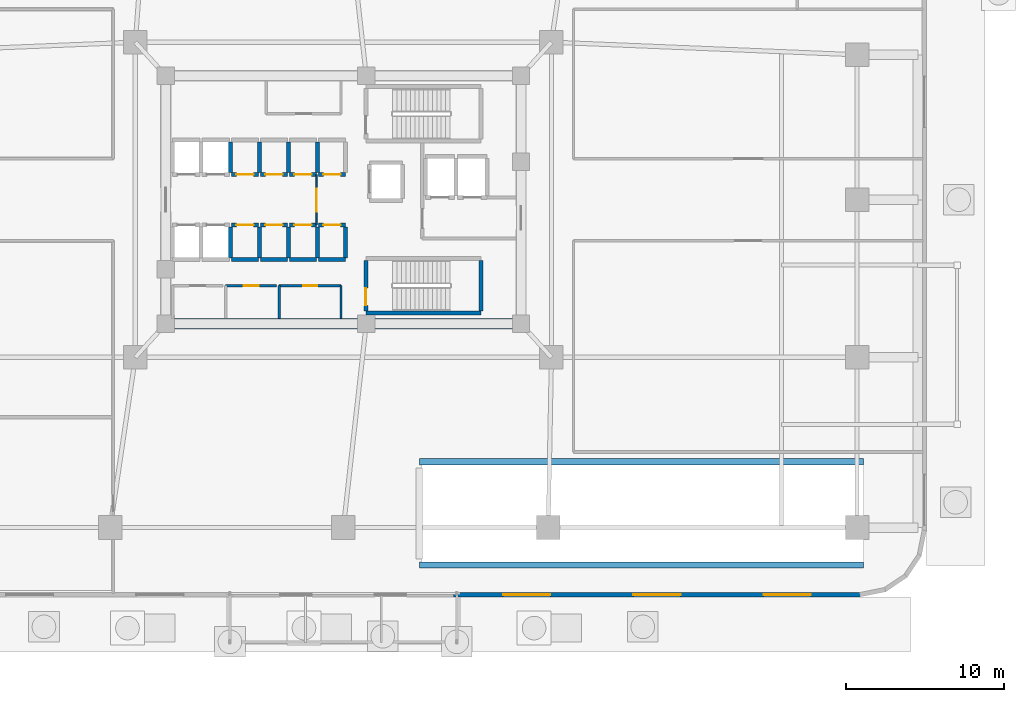
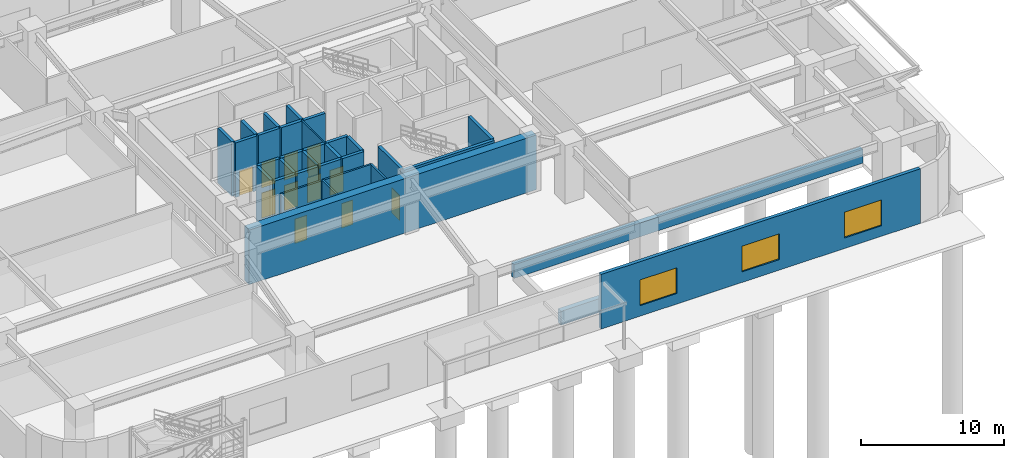
# One storey, part 12 of 18: 33 walls, 12 doors, 3 windows, 15 openings.
"""IFC4 building model written with IfcOpenShell, lengths in metres."""

import ifcopenshell
import ifcopenshell.guid

model = None  # the IFC model being written
_history = None  # IfcOwnerHistory: only IFC2X3 demands one
_inside = {}  # id of a spatial element -> (the spatial element, [elements in it])
_under = {}  # id of a project, library or spatial element -> (it, [spatial elements below it])
_declared = {}  # id of a project -> (the project, [libraries it declares])
_typed = {}  # id of a type object -> (the type object, [elements of that type])
_made_of = {}  # id of a material, layer set ... -> (it, [elements and type objects made of it])


def new_model(schema):
    """Start an empty IFC model of exactly this schema.

    Asked for "IFC4X3", IfcOpenShell would pick the latest addendum, in which some entities
    have other attributes; the version numbers below select the first issue.
    IFC2X3 requires an IfcOwnerHistory on every rooted entity: one is made here for all.
    """
    global model, _history
    if schema == "IFC4X3":
        model = ifcopenshell.file(schema_version=(4, 3, 0, 0))
    else:
        model = ifcopenshell.file(schema=schema)
    _inside.clear()
    _under.clear()
    _declared.clear()
    _typed.clear()
    _made_of.clear()
    _history = None
    if model.schema == "IFC2X3":
        org = make("IfcOrganization", Name="unknown")
        user = make(
            "IfcPersonAndOrganization",
            ThePerson=make("IfcPerson", FamilyName="unknown"),
            TheOrganization=org,
        )
        app = make(
            "IfcApplication",
            ApplicationDeveloper=org,
            Version="unknown",
            ApplicationFullName="unknown",
            ApplicationIdentifier="unknown",
        )
        _history = make(
            "IfcOwnerHistory",
            OwningUser=user,
            OwningApplication=app,
            ChangeAction="ADDED",
            CreationDate=0,
        )
    return model


def make(cls, **values):
    """One entity of the class cls with the attributes given. An attribute that is None is left unset."""
    return model.create_entity(
        cls, **{name: value for name, value in values.items() if value is not None}
    )


def rooted(cls, **values):
    """An entity with a GlobalId (a new one), such as an element, a storey or a relation."""
    return make(cls, GlobalId=ifcopenshell.guid.new(), OwnerHistory=_history, **values)


def si_unit(unit_type, name, prefix=None):
    """IfcSIUnit, for example si_unit("LENGTHUNIT", "METRE", prefix="MILLI")."""
    return make("IfcSIUnit", UnitType=unit_type, Prefix=prefix, Name=name)


def assignment(units):
    """IfcUnitAssignment: the units of a project."""
    return None if units is None else make("IfcUnitAssignment", Units=units)


def point(xyz):
    """IfcCartesianPoint."""
    return None if xyz is None else make("IfcCartesianPoint", Coordinates=xyz)


def direction(xyz):
    """IfcDirection."""
    return None if xyz is None else make("IfcDirection", DirectionRatios=xyz)


def frame(location, z_axis=None, x_axis=None):
    """IfcAxis2Placement3D, a coordinate frame: its origin and axes. An axis left out is left unset."""
    return make(
        "IfcAxis2Placement3D",
        Location=point(location),
        Axis=direction(z_axis),
        RefDirection=direction(x_axis),
    )


def frame_2d(location, x_axis=None):
    """IfcAxis2Placement2D, a coordinate frame in the plane: its origin and x axis."""
    return make(
        "IfcAxis2Placement2D", Location=point(location), RefDirection=direction(x_axis)
    )


def origin():
    """The frame at (0, 0, 0) with its axes left unset."""
    return frame((0.0, 0.0, 0.0))


def place(relative_to, where):
    """IfcLocalPlacement: puts the frame where relative to a parent placement (None: the world)."""
    return make(
        "IfcLocalPlacement", PlacementRelTo=relative_to, RelativePlacement=where
    )


def context(
    kind, dimensions, precision=None, world=None, true_north=None, identifier=None
):
    """IfcGeometricRepresentationContext, for example the 3D "Model" context."""
    return make(
        "IfcGeometricRepresentationContext",
        ContextIdentifier=identifier,
        ContextType=kind,
        CoordinateSpaceDimension=dimensions,
        Precision=precision,
        WorldCoordinateSystem=world,
        TrueNorth=true_north,
    )


def subcontext(parent, identifier, kind, view, scale=None):
    """IfcGeometricRepresentationSubContext, for example "Body" below "Model"."""
    return make(
        "IfcGeometricRepresentationSubContext",
        ContextIdentifier=identifier,
        ContextType=kind,
        ParentContext=parent,
        TargetScale=scale,
        TargetView=view,
    )


def project(units=None, contexts=None):
    """IfcProject with its units and contexts."""
    return rooted(
        "IfcProject",
        Name="project",
        RepresentationContexts=contexts,
        UnitsInContext=assignment(units),
    )


def spatial(cls, under=None, at=None, **own):
    """A site, building, storey or space (cls), placed at a placement, below another one or the project."""
    s = rooted(cls, ObjectPlacement=at, **own)
    if under is not None:
        _under.setdefault(under.id(), (under, []))[1].append(s)
    return s


def profile(cls, at=None, kind="AREA", **sizes):
    """A parametric profile (cls). Its sizes go by their IFC names, for example OverallWidth=200.0."""
    return make(cls, ProfileType=kind, Position=at, **sizes)


def rectangle(**sizes):
    """IfcRectangleProfileDef."""
    return profile("IfcRectangleProfileDef", **sizes)


def extrude(swept, where, along, depth):
    """IfcExtrudedAreaSolid: the profile swept, set in the frame where, extruded along a direction by depth."""
    return make(
        "IfcExtrudedAreaSolid",
        SweptArea=swept,
        Position=where,
        ExtrudedDirection=direction(along),
        Depth=depth,
    )


def shape(context_of_items, identifier, shape_type, items):
    """IfcShapeRepresentation: the items that make up one representation, for example the "Body"."""
    return make(
        "IfcShapeRepresentation",
        ContextOfItems=context_of_items,
        RepresentationIdentifier=identifier,
        RepresentationType=shape_type,
        Items=items,
    )


def material(Name=None, Category=None):
    """IfcMaterial."""
    return make("IfcMaterial", Name=Name, Category=Category)


def layer(
    of_material, thickness, ventilated=None, Name=None, Category=None, Priority=None
):
    """IfcMaterialLayer: one layer of a wall or slab, of a material (None: an air gap)."""
    return make(
        "IfcMaterialLayer",
        Material=of_material,
        LayerThickness=thickness,
        IsVentilated=ventilated,
        Name=Name,
        Category=Category,
        Priority=Priority,
    )


def layer_set(layers, Name=None):
    """IfcMaterialLayerSet."""
    return make("IfcMaterialLayerSet", MaterialLayers=layers, LayerSetName=Name)


def made_of(thing, what):
    """Note that an element or type object is made of a material, layer set ...; save() writes the relation."""
    if what is not None:
        _made_of.setdefault(what.id(), (what, []))[1].append(thing)
    return thing


def type_object(cls, material=None, **own):
    """A type object (cls), such as IfcWallType, which elements share."""
    return made_of(rooted(cls, **own), material)


def element(
    cls,
    number,
    at=None,
    inside=None,
    cuts=None,
    type_object=None,
    material=None,
    context=None,
    identifier="Body",
    shape_type=None,
    held_by="IfcProductDefinitionShape",
    body=None,
    shapes=None,
    **own,
):
    """One element of the class cls, such as IfcWall. Its Tag is "e" and its number.

    at: its placement. inside: the storey or other place that contains it. cuts: it is an
    opening in that element (IfcRelVoidsElement). A single representation is given by context,
    identifier, shape_type and body (its items); several are given by shapes. held_by: the class
    of the entity that holds the representations. save() writes the other relations.
    """
    e = rooted(cls, Tag="e%d" % number, ObjectPlacement=at, **own)
    if body is not None:
        shapes = [shape(context, identifier, shape_type, body)]
    if shapes is not None:
        e.Representation = make(held_by, Representations=shapes)
    if inside is not None:
        _inside.setdefault(inside.id(), (inside, []))[1].append(e)
    if cuts is not None:
        rooted(
            "IfcRelVoidsElement", RelatingBuildingElement=cuts, RelatedOpeningElement=e
        )
    if type_object is not None:
        _typed.setdefault(type_object.id(), (type_object, []))[1].append(e)
    return made_of(e, material)


def fill(opening, filler):
    """IfcRelFillsElement: the door or window that sits in an opening."""
    return rooted(
        "IfcRelFillsElement",
        RelatingOpeningElement=opening,
        RelatedBuildingElement=filler,
    )


def aggregate(whole, parts):
    """IfcRelAggregates: a whole, such as a stair, and the parts it consists of."""
    return rooted("IfcRelAggregates", RelatingObject=whole, RelatedObjects=parts)


def save(model, path):
    """Write the relations noted so far, then the file.

    IfcRelAggregates (storeys below a building ...), IfcRelContainedInSpatialStructure (elements
    in a storey), IfcRelDefinesByType, IfcRelAssociatesMaterial and IfcRelDeclares: one each for
    every whole, place, type object, material and project.
    """
    for whole, parts in _under.values():
        aggregate(whole, parts)
    for where, things in _inside.values():
        rooted(
            "IfcRelContainedInSpatialStructure",
            RelatedElements=things,
            RelatingStructure=where,
        )
    for kind, things in _typed.values():
        rooted("IfcRelDefinesByType", RelatedObjects=things, RelatingType=kind)
    for what, things in _made_of.values():
        rooted("IfcRelAssociatesMaterial", RelatedObjects=things, RelatingMaterial=what)
    for by, libraries in _declared.values():
        rooted("IfcRelDeclares", RelatingContext=by, RelatedDefinitions=libraries)
    model.write(path)


model = new_model("IFC4")

# Units and contexts
model_context = context("Model", 3, precision=1e-05, world=origin(), true_north=direction((0.0, 1.0)))
body_context = subcontext(model_context, "Body", "Model", "MODEL_VIEW")
ifc_project = project(units=[si_unit("LENGTHUNIT", "METRE"), si_unit("AREAUNIT", "SQUARE_METRE"), si_unit("VOLUMEUNIT", "CUBIC_METRE"), si_unit("PLANEANGLEUNIT", "RADIAN"), si_unit("MASSUNIT", "GRAM", prefix="KILO")], contexts=[model_context])

# Site, building, storey
site_placement = place(None, origin())
site = spatial("IfcSite", under=ifc_project, at=site_placement, CompositionType="ELEMENT")
building_placement = place(site_placement, origin())
building = spatial("IfcBuilding", under=site, at=building_placement, Name="Zulverin Broadcast Headquarters", CompositionType="ELEMENT")
storey_placement = place(building_placement, origin())
storey = spatial("IfcBuildingStorey", under=building, at=storey_placement, Name="L00", CompositionType="ELEMENT", Elevation=0.0)

# Walls
ifc_material_1 = material(Name="Concrete C50/60", Category="concrete")
ifc_layer_1 = layer(ifc_material_1, 0.39990234375, Name="Concrete C50/60", Category="concrete")
ifc_layer_set_1 = layer_set([ifc_layer_1], Name="Concrete C50/60")
wall_type_1 = type_object("IfcWallType", Name="WL-BAR-400", PredefinedType="SOLIDWALL", material=ifc_layer_set_1)
for number, where, z_axis, x_axis, name in (
    (1, (41.820068359375, 2.02001953125, 0.0), (0.0, 0.0, 1.0), (1.0, 0.0, 0.0), "L00 Ramp Well Crash Barrier Wall S"),
    (2, (41.820068359375, 8.580078125, 0.0), (0.0, 0.0, 1.0), (1.0, 0.0, 0.0), "L00 Ramp Well Crash Barrier Wall N"),
):
    element("IfcWall", number, at=place(storey_placement, frame(where, z_axis=z_axis, x_axis=x_axis)), inside=storey, type_object=wall_type_1, Name=name, PredefinedType="SOLIDWALL", context=body_context, shape_type="SweptSolid", body=[
        extrude(rectangle(XDim=28.179931640625, YDim=0.39990234375, at=frame_2d((14.08984375, 0.0))), origin(), (0.0, 0.0, 1.0), 1.179931640625),
    ])
ifc_material_2 = material(Name="Concrete C60/75", Category="concrete")
ifc_layer_2 = layer(ifc_material_2, 0.64990234375, Name="Concrete C60/75", Category="concrete")
ifc_layer_set_2 = layer_set([ifc_layer_2], Name="Concrete C60/75")
wall_type_2 = type_object("IfcWallType", Name="WL-CORE-650", PredefinedType="SHEAR", material=ifc_layer_set_2)
wall_1_placement = place(storey_placement, frame((25.39990234375, 17.324951171875, 0.0), z_axis=(0.0, 0.0, 1.0), x_axis=(1.0, 0.0, 0.0)))
element("IfcWall", 3, at=wall_1_placement, inside=storey, type_object=wall_type_2, Name="L00 Core South Shear Wall", PredefinedType="SHEAR", context=body_context, shape_type="SweptSolid", body=[
    extrude(rectangle(XDim=23.2001953125, YDim=0.64990234375, at=frame_2d((11.60009765625, 0.0))), origin(), (0.0, 0.0, 1.0), 4.659912109375),
])

# Wall, openings, windows
ifc_material_3 = material(Name="Insulated pale-metal clad concrete spandrel C40/50", Category="concrete")
ifc_layer_3 = layer(ifc_material_3, 0.280029296875, Name="Insulated pale-metal clad concrete spandrel C40/50", Category="concrete")
ifc_layer_set_3 = layer_set([ifc_layer_3], Name="Insulated pale-metal clad concrete spandrel C40/50")
wall_type_3 = type_object("IfcWallType", Name="WL-EXT-280", PredefinedType="STANDARD", material=ifc_layer_set_3)
wall_2_placement = place(storey_placement, frame((44.0, 0.139892578125, 0.0), z_axis=(0.0, 0.0, 1.0), x_axis=(1.0, 0.0, 0.0)))
wall_2 = element("IfcWall", 4, at=wall_2_placement, inside=storey, type_object=wall_type_3, Name="L00 Podium Flank Wall 4-2", PredefinedType="STANDARD", context=body_context, shape_type="SweptSolid", body=[
    extrude(rectangle(XDim=25.800048828125, YDim=0.280029296875, at=frame_2d((12.89990234375, 0.0))), origin(), (0.0, 0.0, 1.0), 4.659912109375),
])
opening_1_placement = place(wall_2_placement, frame((3.13330078125, 0.0, 0.89990234375)))
opening_1 = element("IfcOpeningElement", 5, at=opening_1_placement, cuts=wall_2, Name="Opening W-L00-F421", PredefinedType="OPENING", context=body_context, shape_type="SweptSolid", body=[
    extrude(rectangle(XDim=3.0, YDim=2.199951171875, at=frame_2d((1.5, 1.10009765625))), frame((0.0, 0.14990234375, 0.0), z_axis=(0.0, -1.0, 0.0), x_axis=(1.0, 0.0, 0.0)), (0.0, 0.0, 1.0), 0.300048828125),
])
opening_2_placement = place(wall_2_placement, frame((11.39990234375, 0.0, 0.89990234375)))
opening_2 = element("IfcOpeningElement", 6, at=opening_2_placement, cuts=wall_2, Name="Opening W-L00-F422", PredefinedType="OPENING", context=body_context, shape_type="SweptSolid", body=[
    extrude(rectangle(XDim=3.0, YDim=2.199951171875, at=frame_2d((1.5, 1.10009765625))), frame((0.0, 0.14990234375, 0.0), z_axis=(0.0, -1.0, 0.0), x_axis=(1.0, 0.0, 0.0)), (0.0, 0.0, 1.0), 0.300048828125),
])
opening_3_placement = place(wall_2_placement, frame((19.666748046875, 0.0, 0.89990234375)))
opening_3 = element("IfcOpeningElement", 7, at=opening_3_placement, cuts=wall_2, Name="Opening W-L00-F423", PredefinedType="OPENING", context=body_context, shape_type="SweptSolid", body=[
    extrude(rectangle(XDim=3.0, YDim=2.199951171875, at=frame_2d((1.5, 1.10009765625))), frame((0.0, 0.14990234375, 0.0), z_axis=(0.0, -1.0, 0.0), x_axis=(1.0, 0.0, 0.0)), (0.0, 0.0, 1.0), 0.300048828125),
])
ifc_material_4 = material(Name="Pale anodized aluminium frame with solar-control low-E double glazing", Category="aluminium")
window_type = type_object("IfcWindowType", Name="WIN-POD-3000", PartitioningType="SINGLE_PANEL", PredefinedType="WINDOW", material=ifc_material_4)
window_1_placement = place(opening_1_placement, origin())
window_1 = element("IfcWindow", 8, at=window_1_placement, inside=storey, type_object=window_type, Name="L00 Podium Flank Window 4-2 1", OverallHeight=2.199951171875, OverallWidth=3.0, PartitioningType="SINGLE_PANEL", PredefinedType="WINDOW", context=body_context, shape_type="SweptSolid", body=[
    extrude(rectangle(XDim=3.0, YDim=2.199951171875, at=frame_2d((1.5, 1.10009765625))), frame((0.0, 0.030029296875, 0.0), z_axis=(0.0, -1.0, 0.0), x_axis=(1.0, 0.0, 0.0)), (0.0, 0.0, 1.0), 0.06005859375),
])
fill(opening_1, window_1)
window_2_placement = place(opening_2_placement, origin())
window_2 = element("IfcWindow", 9, at=window_2_placement, inside=storey, type_object=window_type, Name="L00 Podium Flank Window 4-2 2", OverallHeight=2.199951171875, OverallWidth=3.0, PartitioningType="SINGLE_PANEL", PredefinedType="WINDOW", context=body_context, shape_type="SweptSolid", body=[
    extrude(rectangle(XDim=3.0, YDim=2.199951171875, at=frame_2d((1.5, 1.10009765625))), frame((0.0, 0.030029296875, 0.0), z_axis=(0.0, -1.0, 0.0), x_axis=(1.0, 0.0, 0.0)), (0.0, 0.0, 1.0), 0.06005859375),
])
fill(opening_2, window_2)
window_3_placement = place(opening_3_placement, origin())
window_3 = element("IfcWindow", 10, at=window_3_placement, inside=storey, type_object=window_type, Name="L00 Podium Flank Window 4-2 3", OverallHeight=2.199951171875, OverallWidth=3.0, PartitioningType="SINGLE_PANEL", PredefinedType="WINDOW", context=body_context, shape_type="SweptSolid", body=[
    extrude(rectangle(XDim=3.0, YDim=2.199951171875, at=frame_2d((1.5, 1.10009765625))), frame((0.0, 0.030029296875, 0.0), z_axis=(0.0, -1.0, 0.0), x_axis=(1.0, 0.0, 0.0)), (0.0, 0.0, 1.0), 0.06005859375),
])
fill(opening_3, window_3)

# Wall, opening, door
ifc_material_5 = material(Name="Fire-rated acoustic laminated glass screen", Category="glass")
ifc_layer_4 = layer(ifc_material_5, 0.10009765625, Name="Fire-rated acoustic laminated glass screen", Category="glass")
ifc_layer_set_4 = layer_set([ifc_layer_4], Name="Fire-rated acoustic laminated glass screen")
wall_type_4 = type_object("IfcWallType", Name="WL-GLAZ-100", PredefinedType="PARTITIONING", material=ifc_layer_set_4)
wall_3_placement = place(storey_placement, frame((35.300048828125, 23.60009765625, 0.0), z_axis=(0.0, 0.0, 1.0), x_axis=(0.0, 1.0, 0.0)))
wall_3 = element("IfcWall", 11, at=wall_3_placement, inside=storey, type_object=wall_type_4, Name="L00 Central Core Smoke Vestibule Screen", PredefinedType="PARTITIONING", context=body_context, shape_type="SweptSolid", body=[
    extrude(rectangle(XDim=3.199951171875, YDim=0.10009765625, at=frame_2d((1.60009765625, 0.0))), origin(), (0.0, 0.0, 1.0), 4.659912109375),
])
opening_4_placement = place(wall_3_placement, frame((0.85009765625, 0.0, 0.0)))
opening_4 = element("IfcOpeningElement", 12, at=opening_4_placement, cuts=wall_3, Name="Opening D-L00-CL2", PredefinedType="OPENING", context=body_context, shape_type="SweptSolid", body=[
    extrude(rectangle(XDim=1.449951171875, YDim=2.1201171875, at=frame_2d((0.72509765625, 1.06005859375))), frame((0.0, 0.06005859375, 0.0), z_axis=(0.0, -1.0, 0.0), x_axis=(1.0, 0.0, 0.0)), (0.0, 0.0, 1.0), 0.1201171875),
])
ifc_material_6 = material(Name="Fire-rated acoustic glazed double leaf", Category="glass")
door_type_1 = type_object("IfcDoorType", Name="DR-GLZ-1450", OperationType="DOUBLE_DOOR_SINGLE_SWING", PredefinedType="DOOR", material=ifc_material_6)
door_1_placement = place(opening_4_placement, origin())
door_1 = element("IfcDoor", 13, at=door_1_placement, inside=storey, type_object=door_type_1, Name="L00 Central Core Smoke Vestibule Door", OperationType="DOUBLE_DOOR_SINGLE_SWING", OverallHeight=2.1201171875, OverallWidth=1.449951171875, PredefinedType="DOOR", context=body_context, shape_type="SweptSolid", body=[
    extrude(rectangle(XDim=1.449951171875, YDim=2.1201171875, at=frame_2d((0.72509765625, 1.06005859375))), frame((0.0, 0.02490234375, 0.0), z_axis=(0.0, -1.0, 0.0), x_axis=(1.0, 0.0, 0.0)), (0.0, 0.0, 1.0), 0.050048828125),
])
fill(opening_4, door_1)

ifc_material_7 = material(Name="Fire-rated gypsum stud partition", Category="gypsum")
ifc_layer_5 = layer(ifc_material_7, 0.14990234375, Name="Fire-rated gypsum stud partition", Category="gypsum")
ifc_layer_set_5 = layer_set([ifc_layer_5], Name="Fire-rated gypsum stud partition")
wall_type_5 = type_object("IfcWallType", Name="WL-PART-150", PredefinedType="PARTITIONING", material=ifc_layer_set_5)
wall_4_placement = place(storey_placement, frame((29.530029296875, 19.75, 0.0), z_axis=(0.0, 0.0, 1.0), x_axis=(1.0, 0.0, 0.0)))
wall_4 = element("IfcWall", 14, at=wall_4_placement, inside=storey, type_object=wall_type_5, Name="L00 Core Female WC Front Wall", PredefinedType="PARTITIONING", context=body_context, shape_type="SweptSolid", body=[
    extrude(rectangle(XDim=3.239990234375, YDim=0.14990234375, at=frame_2d((1.6201171875, 0.0))), origin(), (0.0, 0.0, 1.0), 4.659912109375),
])
opening_5_placement = place(wall_4_placement, frame((1.14501953125, 0.0, 0.0)))
opening_5 = element("IfcOpeningElement", 15, at=opening_5_placement, cuts=wall_4, Name="Opening D-L00-SC2", PredefinedType="OPENING", context=body_context, shape_type="SweptSolid", body=[
    extrude(rectangle(XDim=0.949951171875, YDim=2.10009765625, at=frame_2d((0.47509765625, 1.050048828125))), frame((0.0, 0.0849609375, 0.0), z_axis=(0.0, -1.0, 0.0), x_axis=(1.0, 0.0, 0.0)), (0.0, 0.0, 1.0), 0.169921875),
])
ifc_material_8 = material(Name="Fire-rated moisture-resistant laminate leaf", Category="wood")
door_type_2 = type_object("IfcDoorType", Name="DR-WC-950", OperationType="SINGLE_SWING_LEFT", PredefinedType="DOOR", material=ifc_material_8)
door_2_placement = place(opening_5_placement, origin())
door_2 = element("IfcDoor", 16, at=door_2_placement, inside=storey, type_object=door_type_2, Name="L00 Female WC Door", OperationType="SINGLE_SWING_LEFT", OverallHeight=2.10009765625, OverallWidth=0.949951171875, PredefinedType="DOOR", context=body_context, shape_type="SweptSolid", body=[
    extrude(rectangle(XDim=0.949951171875, YDim=2.10009765625, at=frame_2d((0.47509765625, 1.050048828125))), frame((0.0, 0.02490234375, 0.0), z_axis=(0.0, -1.0, 0.0), x_axis=(1.0, 0.0, 0.0)), (0.0, 0.0, 1.0), 0.050048828125),
])
fill(opening_5, door_2)

wall_5_placement = place(storey_placement, frame((32.929931640625, 19.75, 0.0), z_axis=(0.0, 0.0, 1.0), x_axis=(1.0, 0.0, 0.0)))
wall_5 = element("IfcWall", 17, at=wall_5_placement, inside=storey, type_object=wall_type_5, Name="L00 Core Cleaner Store Front Wall", PredefinedType="PARTITIONING", context=body_context, shape_type="SweptSolid", body=[
    extrude(rectangle(XDim=3.920166015625, YDim=0.14990234375, at=frame_2d((1.9599609375, 0.0))), origin(), (0.0, 0.0, 1.0), 4.659912109375),
])
opening_6_placement = place(wall_5_placement, frame((1.510009765625, 0.0, 0.0)))
opening_6 = element("IfcOpeningElement", 18, at=opening_6_placement, cuts=wall_5, Name="Opening D-L00-SC3", PredefinedType="OPENING", context=body_context, shape_type="SweptSolid", body=[
    extrude(rectangle(XDim=0.89990234375, YDim=2.10009765625, at=frame_2d((0.449951171875, 1.050048828125))), frame((0.0, 0.0849609375, 0.0), z_axis=(0.0, -1.0, 0.0), x_axis=(1.0, 0.0, 0.0)), (0.0, 0.0, 1.0), 0.169921875),
])
ifc_material_9 = material(Name="Powder-coated steel access leaf", Category="steel")
door_type_3 = type_object("IfcDoorType", Name="DR-RISER-900", OperationType="SINGLE_SWING_LEFT", PredefinedType="DOOR", material=ifc_material_9)
door_3_placement = place(opening_6_placement, origin())
door_3 = element("IfcDoor", 19, at=door_3_placement, inside=storey, type_object=door_type_3, Name="L00 Cleaner Store Door", OperationType="SINGLE_SWING_RIGHT", OverallHeight=2.10009765625, OverallWidth=0.89990234375, PredefinedType="DOOR", context=body_context, shape_type="SweptSolid", body=[
    extrude(rectangle(XDim=0.89990234375, YDim=2.10009765625, at=frame_2d((0.449951171875, 1.050048828125))), frame((0.0, 0.02490234375, 0.0), z_axis=(0.0, -1.0, 0.0), x_axis=(1.0, 0.0, 0.0)), (0.0, 0.0, 1.0), 0.050048828125),
])
fill(opening_6, door_3)

# Walls
for number, where, z_axis, x_axis, name in (
    (20, (32.929931640625, 17.64990234375, 0.0), (0.0, 0.0, 1.0), (0.0, 1.0, 0.0), "L00 Core Cleaner Store West Wall"),
    (21, (36.85009765625, 17.64990234375, 0.0), (0.0, 0.0, 1.0), (0.0, 1.0, 0.0), "L00 Core Cleaner Store East Wall"),
):
    element("IfcWall", number, at=place(storey_placement, frame(where, z_axis=z_axis, x_axis=x_axis)), inside=storey, type_object=wall_type_5, Name=name, PredefinedType="PARTITIONING", context=body_context, shape_type="SweptSolid", body=[
        extrude(rectangle(XDim=2.10009765625, YDim=0.14990234375, at=frame_2d((1.050048828125, 0.0))), origin(), (0.0, 0.0, 1.0), 4.659912109375),
    ])
ifc_layer_6 = layer(ifc_material_1, 0.25, Name="Concrete C50/60", Category="concrete")
ifc_layer_set_6 = layer_set([ifc_layer_6], Name="Concrete C50/60")
wall_type_6 = type_object("IfcWallType", Name="WL-SHAFT-250", PredefinedType="SHEAR", material=ifc_layer_set_6)
wall_6_placement = place(storey_placement, frame((38.425048828125, 18.02490234375, 0.0), z_axis=(0.0, 0.0, 1.0), x_axis=(1.0, 0.0, 0.0)))
element("IfcWall", 22, at=wall_6_placement, inside=storey, type_object=wall_type_6, Name="L00 ST-2 Enclosure Wall S", PredefinedType="SHEAR", context=body_context, shape_type="SweptSolid", body=[
    extrude(rectangle(XDim=7.300048828125, YDim=0.25, at=frame_2d((3.64990234375, 0.0))), origin(), (0.0, 0.0, 1.0), 4.659912109375),
])

# Wall, opening, door
wall_7_placement = place(storey_placement, frame((38.425048828125, 18.14990234375, 0.0), z_axis=(0.0, 0.0, 1.0), x_axis=(0.0, 1.0, 0.0)))
wall_7 = element("IfcWall", 23, at=wall_7_placement, inside=storey, type_object=wall_type_6, Name="L00 ST-2 Enclosure Wall W", PredefinedType="SHEAR", context=body_context, shape_type="SweptSolid", body=[
    extrude(rectangle(XDim=3.2001953125, YDim=0.25, at=frame_2d((1.60009765625, 0.0))), origin(), (0.0, 0.0, 1.0), 4.659912109375),
])
opening_7_placement = place(wall_7_placement, frame((0.35009765625, 0.0, 0.0)))
opening_7 = element("IfcOpeningElement", 24, at=opening_7_placement, cuts=wall_7, Name="Opening D-L00-ST-2", PredefinedType="OPENING", context=body_context, shape_type="SweptSolid", body=[
    extrude(rectangle(XDim=1.10009765625, YDim=2.14990234375, at=frame_2d((0.550048828125, 1.074951171875))), frame((0.0, 0.135009765625, 0.0), z_axis=(0.0, -1.0, 0.0), x_axis=(1.0, 0.0, 0.0)), (0.0, 0.0, 1.0), 0.27001953125),
])
ifc_material_10 = material(Name="Fire-rated steel leaf and frame", Category="steel")
door_type_4 = type_object("IfcDoorType", Name="DR-STAIR-1100", OperationType="SINGLE_SWING_LEFT", PredefinedType="DOOR", material=ifc_material_10)
door_4_placement = place(opening_7_placement, origin())
door_4 = element("IfcDoor", 25, at=door_4_placement, inside=storey, type_object=door_type_4, Name="L00 Exit Stair ST-2 Fire Door", OperationType="SINGLE_SWING_RIGHT", OverallHeight=2.14990234375, OverallWidth=1.10009765625, PredefinedType="DOOR", context=body_context, shape_type="SweptSolid", body=[
    extrude(rectangle(XDim=1.10009765625, YDim=2.14990234375, at=frame_2d((0.550048828125, 1.074951171875))), frame((0.0, 0.02490234375, 0.0), z_axis=(0.0, -1.0, 0.0), x_axis=(1.0, 0.0, 0.0)), (0.0, 0.0, 1.0), 0.050048828125),
])
fill(opening_7, door_4)

# Walls
wall_8_placement = place(storey_placement, frame((45.72509765625, 18.14990234375, 0.0), z_axis=(0.0, 0.0, 1.0), x_axis=(0.0, 1.0, 0.0)))
element("IfcWall", 26, at=wall_8_placement, inside=storey, type_object=wall_type_6, Name="L00 ST-2 Enclosure Wall E", PredefinedType="SHEAR", context=body_context, shape_type="SweptSolid", body=[
    extrude(rectangle(XDim=3.2001953125, YDim=0.25, at=frame_2d((1.60009765625, 0.0))), origin(), (0.0, 0.0, 1.0), 4.659912109375),
])
for number, where, z_axis, x_axis, name in (
    (27, (29.8349609375, 26.919921875, 0.0), (0.0, 0.0, 1.0), (0.0, 1.0, 0.0), "L00 Lift PL-L2 Shaft Wall E"),
    (28, (29.8349609375, 21.52001953125, 0.0), (0.0, 0.0, 1.0), (0.0, 1.0, 0.0), "L00 Lift PL-L4 Shaft Wall E"),
):
    element("IfcWall", number, at=place(storey_placement, frame(where, z_axis=z_axis, x_axis=x_axis)), inside=storey, type_object=wall_type_6, Name=name, PredefinedType="SHEAR", context=body_context, shape_type="SweptSolid", body=[
        extrude(rectangle(XDim=1.9599609375, YDim=0.25, at=frame_2d((0.97998046875, 0.0))), origin(), (0.0, 0.0, 1.0), 4.659912109375),
    ])
wall_9_placement = place(storey_placement, frame((29.89990234375, 21.39990234375, 0.0), z_axis=(0.0, 0.0, 1.0), x_axis=(1.0, 0.0, 0.0)))
element("IfcWall", 29, at=wall_9_placement, inside=storey, type_object=wall_type_6, Name="L00 Lift PL-M1 Shaft Wall S", PredefinedType="SHEAR", context=body_context, shape_type="SweptSolid", body=[
    extrude(rectangle(XDim=1.72021484375, YDim=0.25, at=frame_2d((0.860107421875, 0.0))), origin(), (0.0, 0.0, 1.0), 4.659912109375),
])

# Wall, opening, door
wall_10_placement = place(storey_placement, frame((29.89990234375, 23.60009765625, 0.0), z_axis=(0.0, 0.0, 1.0), x_axis=(1.0, 0.0, 0.0)))
wall_10 = element("IfcWall", 30, at=wall_10_placement, inside=storey, type_object=wall_type_6, Name="L00 Lift PL-M1 Shaft Wall N", PredefinedType="SHEAR", context=body_context, shape_type="SweptSolid", body=[
    extrude(rectangle(XDim=1.72021484375, YDim=0.25, at=frame_2d((0.860107421875, 0.0))), origin(), (0.0, 0.0, 1.0), 4.659912109375),
])
opening_8_placement = place(wall_10_placement, frame((0.31005859375, 0.0, 0.0)))
opening_8 = element("IfcOpeningElement", 31, at=opening_8_placement, cuts=wall_10, Name="Opening LD-PL-M1-L00", PredefinedType="OPENING", context=body_context, shape_type="SweptSolid", body=[
    extrude(rectangle(XDim=1.10009765625, YDim=2.14990234375, at=frame_2d((0.550048828125, 1.074951171875))), frame((0.0, 0.135009765625, 0.0), z_axis=(0.0, -1.0, 0.0), x_axis=(1.0, 0.0, 0.0)), (0.0, 0.0, 1.0), 0.27001953125),
])
ifc_material_11 = material(Name="Brushed stainless steel landing", Category="steel")
door_type_5 = type_object("IfcDoorType", Name="LD-PASS-1100", OperationType="DOUBLE_DOOR_SLIDING", PredefinedType="DOOR", material=ifc_material_11)
door_5_placement = place(opening_8_placement, origin())
door_5 = element("IfcDoor", 32, at=door_5_placement, inside=storey, type_object=door_type_5, Name="L00 Lift PL-M1 Sliding Landing Door", OperationType="DOUBLE_DOOR_SLIDING", OverallHeight=2.14990234375, OverallWidth=1.10009765625, PredefinedType="DOOR", context=body_context, shape_type="SweptSolid", body=[
    extrude(rectangle(XDim=1.10009765625, YDim=2.14990234375, at=frame_2d((0.550048828125, 1.074951171875))), frame((0.0, 0.02490234375, 0.0), z_axis=(0.0, -1.0, 0.0), x_axis=(1.0, 0.0, 0.0)), (0.0, 0.0, 1.0), 0.050048828125),
])
fill(opening_8, door_5)

# Walls
wall_11_placement = place(storey_placement, frame((31.679931640625, 21.52001953125, 0.0), z_axis=(0.0, 0.0, 1.0), x_axis=(0.0, 1.0, 0.0)))
element("IfcWall", 33, at=wall_11_placement, inside=storey, type_object=wall_type_6, Name="L00 Lift PL-M1 Shaft Wall E", PredefinedType="SHEAR", context=body_context, shape_type="SweptSolid", body=[
    extrude(rectangle(XDim=1.9599609375, YDim=0.25, at=frame_2d((0.97998046875, 0.0))), origin(), (0.0, 0.0, 1.0), 4.659912109375),
])
wall_12_placement = place(storey_placement, frame((31.739990234375, 21.39990234375, 0.0), z_axis=(0.0, 0.0, 1.0), x_axis=(1.0, 0.0, 0.0)))
element("IfcWall", 34, at=wall_12_placement, inside=storey, type_object=wall_type_6, Name="L00 Lift PL-M2 Shaft Wall S", PredefinedType="SHEAR", context=body_context, shape_type="SweptSolid", body=[
    extrude(rectangle(XDim=1.719970703125, YDim=0.25, at=frame_2d((0.85986328125, 0.0))), origin(), (0.0, 0.0, 1.0), 4.659912109375),
])

# Wall, opening, door
wall_13_placement = place(storey_placement, frame((31.739990234375, 23.60009765625, 0.0), z_axis=(0.0, 0.0, 1.0), x_axis=(1.0, 0.0, 0.0)))
wall_13 = element("IfcWall", 35, at=wall_13_placement, inside=storey, type_object=wall_type_6, Name="L00 Lift PL-M2 Shaft Wall N", PredefinedType="SHEAR", context=body_context, shape_type="SweptSolid", body=[
    extrude(rectangle(XDim=1.719970703125, YDim=0.25, at=frame_2d((0.85986328125, 0.0))), origin(), (0.0, 0.0, 1.0), 4.659912109375),
])
opening_9_placement = place(wall_13_placement, frame((0.31005859375, 0.0, 0.0)))
opening_9 = element("IfcOpeningElement", 36, at=opening_9_placement, cuts=wall_13, Name="Opening LD-PL-M2-L00", PredefinedType="OPENING", context=body_context, shape_type="SweptSolid", body=[
    extrude(rectangle(XDim=1.10009765625, YDim=2.14990234375, at=frame_2d((0.550048828125, 1.074951171875))), frame((0.0, 0.135009765625, 0.0), z_axis=(0.0, -1.0, 0.0), x_axis=(1.0, 0.0, 0.0)), (0.0, 0.0, 1.0), 0.27001953125),
])
door_6_placement = place(opening_9_placement, origin())
door_6 = element("IfcDoor", 37, at=door_6_placement, inside=storey, type_object=door_type_5, Name="L00 Lift PL-M2 Sliding Landing Door", OperationType="DOUBLE_DOOR_SLIDING", OverallHeight=2.14990234375, OverallWidth=1.10009765625, PredefinedType="DOOR", context=body_context, shape_type="SweptSolid", body=[
    extrude(rectangle(XDim=1.10009765625, YDim=2.14990234375, at=frame_2d((0.550048828125, 1.074951171875))), frame((0.0, 0.02490234375, 0.0), z_axis=(0.0, -1.0, 0.0), x_axis=(1.0, 0.0, 0.0)), (0.0, 0.0, 1.0), 0.050048828125),
])
fill(opening_9, door_6)

# Walls
wall_14_placement = place(storey_placement, frame((33.52001953125, 21.52001953125, 0.0), z_axis=(0.0, 0.0, 1.0), x_axis=(0.0, 1.0, 0.0)))
element("IfcWall", 38, at=wall_14_placement, inside=storey, type_object=wall_type_6, Name="L00 Lift PL-M2 Shaft Wall E", PredefinedType="SHEAR", context=body_context, shape_type="SweptSolid", body=[
    extrude(rectangle(XDim=1.9599609375, YDim=0.25, at=frame_2d((0.97998046875, 0.0))), origin(), (0.0, 0.0, 1.0), 4.659912109375),
])
wall_15_placement = place(storey_placement, frame((33.580078125, 21.39990234375, 0.0), z_axis=(0.0, 0.0, 1.0), x_axis=(1.0, 0.0, 0.0)))
element("IfcWall", 39, at=wall_15_placement, inside=storey, type_object=wall_type_6, Name="L00 Lift PL-M3 Shaft Wall S", PredefinedType="SHEAR", context=body_context, shape_type="SweptSolid", body=[
    extrude(rectangle(XDim=1.719970703125, YDim=0.25, at=frame_2d((0.85986328125, 0.0))), origin(), (0.0, 0.0, 1.0), 4.659912109375),
])

# Wall, opening, door
wall_16_placement = place(storey_placement, frame((33.580078125, 23.60009765625, 0.0), z_axis=(0.0, 0.0, 1.0), x_axis=(1.0, 0.0, 0.0)))
wall_16 = element("IfcWall", 40, at=wall_16_placement, inside=storey, type_object=wall_type_6, Name="L00 Lift PL-M3 Shaft Wall N", PredefinedType="SHEAR", context=body_context, shape_type="SweptSolid", body=[
    extrude(rectangle(XDim=1.719970703125, YDim=0.25, at=frame_2d((0.85986328125, 0.0))), origin(), (0.0, 0.0, 1.0), 4.659912109375),
])
opening_10_placement = place(wall_16_placement, frame((0.31005859375, 0.0, 0.0)))
opening_10 = element("IfcOpeningElement", 41, at=opening_10_placement, cuts=wall_16, Name="Opening LD-PL-M3-L00", PredefinedType="OPENING", context=body_context, shape_type="SweptSolid", body=[
    extrude(rectangle(XDim=1.10009765625, YDim=2.14990234375, at=frame_2d((0.550048828125, 1.074951171875))), frame((0.0, 0.135009765625, 0.0), z_axis=(0.0, -1.0, 0.0), x_axis=(1.0, 0.0, 0.0)), (0.0, 0.0, 1.0), 0.27001953125),
])
door_7_placement = place(opening_10_placement, origin())
door_7 = element("IfcDoor", 42, at=door_7_placement, inside=storey, type_object=door_type_5, Name="L00 Lift PL-M3 Sliding Landing Door", OperationType="DOUBLE_DOOR_SLIDING", OverallHeight=2.14990234375, OverallWidth=1.10009765625, PredefinedType="DOOR", context=body_context, shape_type="SweptSolid", body=[
    extrude(rectangle(XDim=1.10009765625, YDim=2.14990234375, at=frame_2d((0.550048828125, 1.074951171875))), frame((0.0, 0.02490234375, 0.0), z_axis=(0.0, -1.0, 0.0), x_axis=(1.0, 0.0, 0.0)), (0.0, 0.0, 1.0), 0.050048828125),
])
fill(opening_10, door_7)

# Walls
wall_17_placement = place(storey_placement, frame((35.360107421875, 21.52001953125, 0.0), z_axis=(0.0, 0.0, 1.0), x_axis=(0.0, 1.0, 0.0)))
element("IfcWall", 43, at=wall_17_placement, inside=storey, type_object=wall_type_6, Name="L00 Lift PL-M3 Shaft Wall E", PredefinedType="SHEAR", context=body_context, shape_type="SweptSolid", body=[
    extrude(rectangle(XDim=1.9599609375, YDim=0.25, at=frame_2d((0.97998046875, 0.0))), origin(), (0.0, 0.0, 1.0), 4.659912109375),
])
wall_18_placement = place(storey_placement, frame((35.419921875, 21.39990234375, 0.0), z_axis=(0.0, 0.0, 1.0), x_axis=(1.0, 0.0, 0.0)))
element("IfcWall", 44, at=wall_18_placement, inside=storey, type_object=wall_type_6, Name="L00 Lift PL-M4 Shaft Wall S", PredefinedType="SHEAR", context=body_context, shape_type="SweptSolid", body=[
    extrude(rectangle(XDim=1.719970703125, YDim=0.25, at=frame_2d((0.85986328125, 0.0))), origin(), (0.0, 0.0, 1.0), 4.659912109375),
])

# Wall, opening, door
wall_19_placement = place(storey_placement, frame((35.419921875, 23.60009765625, 0.0), z_axis=(0.0, 0.0, 1.0), x_axis=(1.0, 0.0, 0.0)))
wall_19 = element("IfcWall", 45, at=wall_19_placement, inside=storey, type_object=wall_type_6, Name="L00 Lift PL-M4 Shaft Wall N", PredefinedType="SHEAR", context=body_context, shape_type="SweptSolid", body=[
    extrude(rectangle(XDim=1.719970703125, YDim=0.25, at=frame_2d((0.85986328125, 0.0))), origin(), (0.0, 0.0, 1.0), 4.659912109375),
])
opening_11_placement = place(wall_19_placement, frame((0.31005859375, 0.0, 0.0)))
opening_11 = element("IfcOpeningElement", 46, at=opening_11_placement, cuts=wall_19, Name="Opening LD-PL-M4-L00", PredefinedType="OPENING", context=body_context, shape_type="SweptSolid", body=[
    extrude(rectangle(XDim=1.10009765625, YDim=2.14990234375, at=frame_2d((0.550048828125, 1.074951171875))), frame((0.0, 0.135009765625, 0.0), z_axis=(0.0, -1.0, 0.0), x_axis=(1.0, 0.0, 0.0)), (0.0, 0.0, 1.0), 0.27001953125),
])
door_8_placement = place(opening_11_placement, origin())
door_8 = element("IfcDoor", 47, at=door_8_placement, inside=storey, type_object=door_type_5, Name="L00 Lift PL-M4 Sliding Landing Door", OperationType="DOUBLE_DOOR_SLIDING", OverallHeight=2.14990234375, OverallWidth=1.10009765625, PredefinedType="DOOR", context=body_context, shape_type="SweptSolid", body=[
    extrude(rectangle(XDim=1.10009765625, YDim=2.14990234375, at=frame_2d((0.550048828125, 1.074951171875))), frame((0.0, 0.02490234375, 0.0), z_axis=(0.0, -1.0, 0.0), x_axis=(1.0, 0.0, 0.0)), (0.0, 0.0, 1.0), 0.050048828125),
])
fill(opening_11, door_8)

# Wall
wall_20_placement = place(storey_placement, frame((37.139892578125, 21.52001953125, 0.0), z_axis=(0.0, 0.0, 1.0), x_axis=(0.0, 1.0, 0.0)))
element("IfcWall", 48, at=wall_20_placement, inside=storey, type_object=wall_type_6, Name="L00 Lift PL-M4 Shaft Wall E", PredefinedType="SHEAR", context=body_context, shape_type="SweptSolid", body=[
    extrude(rectangle(XDim=1.9599609375, YDim=0.25, at=frame_2d((0.97998046875, 0.0))), origin(), (0.0, 0.0, 1.0), 4.659912109375),
])

# Wall, opening, door
wall_21_placement = place(storey_placement, frame((29.89990234375, 26.800048828125, 0.0), z_axis=(0.0, 0.0, 1.0), x_axis=(1.0, 0.0, 0.0)))
wall_21 = element("IfcWall", 49, at=wall_21_placement, inside=storey, type_object=wall_type_6, Name="L00 Lift PL-H1 Shaft Wall S", PredefinedType="SHEAR", context=body_context, shape_type="SweptSolid", body=[
    extrude(rectangle(XDim=1.72021484375, YDim=0.25, at=frame_2d((0.860107421875, 0.0))), origin(), (0.0, 0.0, 1.0), 4.659912109375),
])
opening_12_placement = place(wall_21_placement, frame((0.31005859375, 0.0, 0.0)))
opening_12 = element("IfcOpeningElement", 50, at=opening_12_placement, cuts=wall_21, Name="Opening LD-PL-H1-L00", PredefinedType="OPENING", context=body_context, shape_type="SweptSolid", body=[
    extrude(rectangle(XDim=1.10009765625, YDim=2.14990234375, at=frame_2d((0.550048828125, 1.074951171875))), frame((0.0, 0.135009765625, 0.0), z_axis=(0.0, -1.0, 0.0), x_axis=(1.0, 0.0, 0.0)), (0.0, 0.0, 1.0), 0.27001953125),
])
door_9_placement = place(opening_12_placement, origin())
door_9 = element("IfcDoor", 51, at=door_9_placement, inside=storey, type_object=door_type_5, Name="L00 Lift PL-H1 Sliding Landing Door", OperationType="DOUBLE_DOOR_SLIDING", OverallHeight=2.14990234375, OverallWidth=1.10009765625, PredefinedType="DOOR", context=body_context, shape_type="SweptSolid", body=[
    extrude(rectangle(XDim=1.10009765625, YDim=2.14990234375, at=frame_2d((0.550048828125, 1.074951171875))), frame((0.0, 0.02490234375, 0.0), z_axis=(0.0, -1.0, 0.0), x_axis=(1.0, 0.0, 0.0)), (0.0, 0.0, 1.0), 0.050048828125),
])
fill(opening_12, door_9)

# Wall
wall_22_placement = place(storey_placement, frame((31.679931640625, 26.919921875, 0.0), z_axis=(0.0, 0.0, 1.0), x_axis=(0.0, 1.0, 0.0)))
element("IfcWall", 52, at=wall_22_placement, inside=storey, type_object=wall_type_6, Name="L00 Lift PL-H1 Shaft Wall E", PredefinedType="SHEAR", context=body_context, shape_type="SweptSolid", body=[
    extrude(rectangle(XDim=1.9599609375, YDim=0.25, at=frame_2d((0.97998046875, 0.0))), origin(), (0.0, 0.0, 1.0), 4.659912109375),
])

# Wall, opening, door
wall_23_placement = place(storey_placement, frame((31.739990234375, 26.800048828125, 0.0), z_axis=(0.0, 0.0, 1.0), x_axis=(1.0, 0.0, 0.0)))
wall_23 = element("IfcWall", 53, at=wall_23_placement, inside=storey, type_object=wall_type_6, Name="L00 Lift PL-H2 Shaft Wall S", PredefinedType="SHEAR", context=body_context, shape_type="SweptSolid", body=[
    extrude(rectangle(XDim=1.719970703125, YDim=0.25, at=frame_2d((0.85986328125, 0.0))), origin(), (0.0, 0.0, 1.0), 4.659912109375),
])
opening_13_placement = place(wall_23_placement, frame((0.31005859375, 0.0, 0.0)))
opening_13 = element("IfcOpeningElement", 54, at=opening_13_placement, cuts=wall_23, Name="Opening LD-PL-H2-L00", PredefinedType="OPENING", context=body_context, shape_type="SweptSolid", body=[
    extrude(rectangle(XDim=1.10009765625, YDim=2.14990234375, at=frame_2d((0.550048828125, 1.074951171875))), frame((0.0, 0.135009765625, 0.0), z_axis=(0.0, -1.0, 0.0), x_axis=(1.0, 0.0, 0.0)), (0.0, 0.0, 1.0), 0.27001953125),
])
door_10_placement = place(opening_13_placement, origin())
door_10 = element("IfcDoor", 55, at=door_10_placement, inside=storey, type_object=door_type_5, Name="L00 Lift PL-H2 Sliding Landing Door", OperationType="DOUBLE_DOOR_SLIDING", OverallHeight=2.14990234375, OverallWidth=1.10009765625, PredefinedType="DOOR", context=body_context, shape_type="SweptSolid", body=[
    extrude(rectangle(XDim=1.10009765625, YDim=2.14990234375, at=frame_2d((0.550048828125, 1.074951171875))), frame((0.0, 0.02490234375, 0.0), z_axis=(0.0, -1.0, 0.0), x_axis=(1.0, 0.0, 0.0)), (0.0, 0.0, 1.0), 0.050048828125),
])
fill(opening_13, door_10)

# Wall
wall_24_placement = place(storey_placement, frame((33.52001953125, 26.919921875, 0.0), z_axis=(0.0, 0.0, 1.0), x_axis=(0.0, 1.0, 0.0)))
element("IfcWall", 56, at=wall_24_placement, inside=storey, type_object=wall_type_6, Name="L00 Lift PL-H2 Shaft Wall E", PredefinedType="SHEAR", context=body_context, shape_type="SweptSolid", body=[
    extrude(rectangle(XDim=1.9599609375, YDim=0.25, at=frame_2d((0.97998046875, 0.0))), origin(), (0.0, 0.0, 1.0), 4.659912109375),
])

# Wall, opening, door
wall_25_placement = place(storey_placement, frame((33.580078125, 26.800048828125, 0.0), z_axis=(0.0, 0.0, 1.0), x_axis=(1.0, 0.0, 0.0)))
wall_25 = element("IfcWall", 57, at=wall_25_placement, inside=storey, type_object=wall_type_6, Name="L00 Lift PL-H3 Shaft Wall S", PredefinedType="SHEAR", context=body_context, shape_type="SweptSolid", body=[
    extrude(rectangle(XDim=1.719970703125, YDim=0.25, at=frame_2d((0.85986328125, 0.0))), origin(), (0.0, 0.0, 1.0), 4.659912109375),
])
opening_14_placement = place(wall_25_placement, frame((0.31005859375, 0.0, 0.0)))
opening_14 = element("IfcOpeningElement", 58, at=opening_14_placement, cuts=wall_25, Name="Opening LD-PL-H3-L00", PredefinedType="OPENING", context=body_context, shape_type="SweptSolid", body=[
    extrude(rectangle(XDim=1.10009765625, YDim=2.14990234375, at=frame_2d((0.550048828125, 1.074951171875))), frame((0.0, 0.135009765625, 0.0), z_axis=(0.0, -1.0, 0.0), x_axis=(1.0, 0.0, 0.0)), (0.0, 0.0, 1.0), 0.27001953125),
])
door_11_placement = place(opening_14_placement, origin())
door_11 = element("IfcDoor", 59, at=door_11_placement, inside=storey, type_object=door_type_5, Name="L00 Lift PL-H3 Sliding Landing Door", OperationType="DOUBLE_DOOR_SLIDING", OverallHeight=2.14990234375, OverallWidth=1.10009765625, PredefinedType="DOOR", context=body_context, shape_type="SweptSolid", body=[
    extrude(rectangle(XDim=1.10009765625, YDim=2.14990234375, at=frame_2d((0.550048828125, 1.074951171875))), frame((0.0, 0.02490234375, 0.0), z_axis=(0.0, -1.0, 0.0), x_axis=(1.0, 0.0, 0.0)), (0.0, 0.0, 1.0), 0.050048828125),
])
fill(opening_14, door_11)

# Wall
wall_26_placement = place(storey_placement, frame((35.360107421875, 26.919921875, 0.0), z_axis=(0.0, 0.0, 1.0), x_axis=(0.0, 1.0, 0.0)))
element("IfcWall", 60, at=wall_26_placement, inside=storey, type_object=wall_type_6, Name="L00 Lift PL-H3 Shaft Wall E", PredefinedType="SHEAR", context=body_context, shape_type="SweptSolid", body=[
    extrude(rectangle(XDim=1.9599609375, YDim=0.25, at=frame_2d((0.97998046875, 0.0))), origin(), (0.0, 0.0, 1.0), 4.659912109375),
])

# Wall, opening, door
wall_27_placement = place(storey_placement, frame((35.419921875, 26.800048828125, 0.0), z_axis=(0.0, 0.0, 1.0), x_axis=(1.0, 0.0, 0.0)))
wall_27 = element("IfcWall", 61, at=wall_27_placement, inside=storey, type_object=wall_type_6, Name="L00 Lift PL-H4 Shaft Wall S", PredefinedType="SHEAR", context=body_context, shape_type="SweptSolid", body=[
    extrude(rectangle(XDim=1.719970703125, YDim=0.25, at=frame_2d((0.85986328125, 0.0))), origin(), (0.0, 0.0, 1.0), 4.659912109375),
])
opening_15_placement = place(wall_27_placement, frame((0.31005859375, 0.0, 0.0)))
opening_15 = element("IfcOpeningElement", 62, at=opening_15_placement, cuts=wall_27, Name="Opening LD-PL-H4-L00", PredefinedType="OPENING", context=body_context, shape_type="SweptSolid", body=[
    extrude(rectangle(XDim=1.10009765625, YDim=2.14990234375, at=frame_2d((0.550048828125, 1.074951171875))), frame((0.0, 0.135009765625, 0.0), z_axis=(0.0, -1.0, 0.0), x_axis=(1.0, 0.0, 0.0)), (0.0, 0.0, 1.0), 0.27001953125),
])
door_12_placement = place(opening_15_placement, origin())
door_12 = element("IfcDoor", 63, at=door_12_placement, inside=storey, type_object=door_type_5, Name="L00 Lift PL-H4 Sliding Landing Door", OperationType="DOUBLE_DOOR_SLIDING", OverallHeight=2.14990234375, OverallWidth=1.10009765625, PredefinedType="DOOR", context=body_context, shape_type="SweptSolid", body=[
    extrude(rectangle(XDim=1.10009765625, YDim=2.14990234375, at=frame_2d((0.550048828125, 1.074951171875))), frame((0.0, 0.02490234375, 0.0), z_axis=(0.0, -1.0, 0.0), x_axis=(1.0, 0.0, 0.0)), (0.0, 0.0, 1.0), 0.050048828125),
])
fill(opening_15, door_12)

save(model, "model.ifc")
